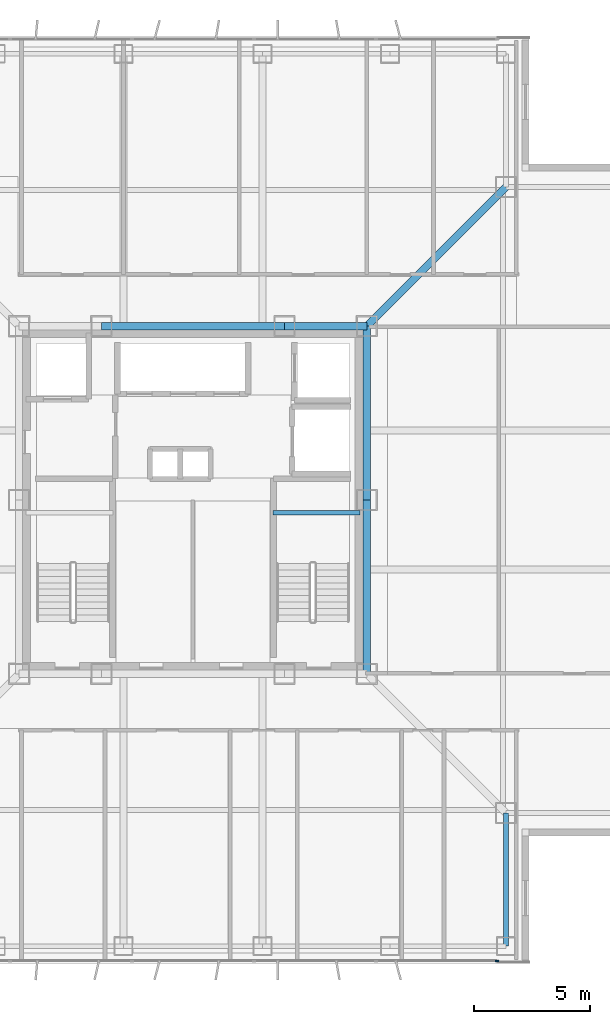
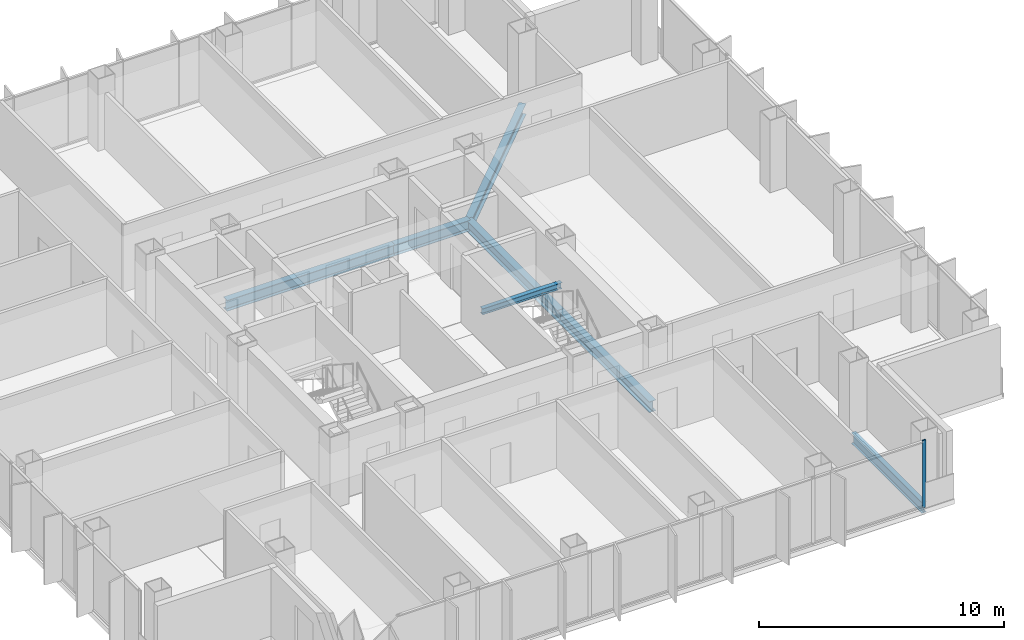
# One storey, part 5 of 18: 7 beams, 1 member, 1 element without a shape of its own.
"""IFC4 building model written with IfcOpenShell, lengths in metres."""

from ifc_helpers import new_model, si_unit, direction, frame, origin, origin_2d, place, context, subcontext, project, spatial, rectangle, i_section, extrude, material, layer, layer_set, material_profile, profile_set, type_object, element, aggregate, save


model = new_model("IFC4")

# Units and contexts
model_context = context("Model", 3, precision=1e-05, world=origin(), true_north=direction((0.0, 1.0)))
body_context = subcontext(model_context, "Body", "Model", "MODEL_VIEW")
ifc_project = project(units=[si_unit("LENGTHUNIT", "METRE"), si_unit("AREAUNIT", "SQUARE_METRE"), si_unit("VOLUMEUNIT", "CUBIC_METRE"), si_unit("PLANEANGLEUNIT", "RADIAN"), si_unit("MASSUNIT", "GRAM", prefix="KILO")], contexts=[model_context])

# Site, building, storey
site_placement = place(None, origin())
site = spatial("IfcSite", under=ifc_project, at=site_placement, CompositionType="ELEMENT")
building_placement = place(site_placement, origin())
building = spatial("IfcBuilding", under=site, at=building_placement, Name="Trevonay Congress Spire", CompositionType="ELEMENT")
storey_placement = place(building_placement, frame((0.0, 0.0, 173.39990234375)))
storey = spatial("IfcBuildingStorey", under=building, at=storey_placement, Name="L44", CompositionType="ELEMENT", Elevation=173.39990234375)

# Beams
ifc_material_1 = material(Name="Steel ASTM A572 Grade 50", Category="steel")
ifc_material_profile_1 = material_profile(ifc_material_1, i_section(OverallWidth=0.31201171875, OverallDepth=0.54296875, WebThickness=0.0126953125, FlangeThickness=0.020263671875, FilletRadius=0.014892578125, at=origin_2d()), Name="W530x150")
ifc_profile_set_1 = profile_set([ifc_material_profile_1], Name="Steel ASTM A572 Grade 50")
beam_type_1 = type_object("IfcBeamType", Name="BM-GIRD-W530X150", PredefinedType="BEAM", material=ifc_profile_set_1)
beam_1_placement = place(storey_placement, frame((-3.949951171875, 7.5, -0.511474609375), z_axis=(1.0, 0.0, 0.0), x_axis=(0.0, 1.0, 0.0)))
element("IfcBeam", 1, at=beam_1_placement, inside=storey, type_object=beam_type_1, Name="L44 structural beam BM-L44-CR-N2", PredefinedType="BEAM", context=body_context, shape_type="SweptSolid", body=[
    extrude(i_section(OverallWidth=0.31201171875, OverallDepth=0.54296875, WebThickness=0.0126953125, FlangeThickness=0.020263671875, FilletRadius=0.014892578125, at=origin_2d()), origin(), (0.0, 0.0, 1.0), 7.89990234375),
])
beam_2_placement = place(storey_placement, frame((3.949951171875, 7.5, -0.511474609375), z_axis=(1.0, 0.0, 0.0), x_axis=(0.0, 1.0, 0.0)))
element("IfcBeam", 2, at=beam_2_placement, inside=storey, type_object=beam_type_1, Name="L44 structural beam BM-L44-CR-N3", PredefinedType="BEAM", context=body_context, shape_type="SweptSolid", body=[
    extrude(i_section(OverallWidth=0.31201171875, OverallDepth=0.54296875, WebThickness=0.0126953125, FlangeThickness=0.020263671875, FilletRadius=0.014892578125, at=origin_2d()), origin(), (0.0, 0.0, 1.0), 3.550048828125),
])
for number, where, z_axis, x_axis, name in (
    (3, (7.5, -7.5, -0.511474609375), (0.0, 1.0, 0.0), (-1.0, 0.0, 0.0), "L44 structural beam BM-L44-CR-E1"),
    (4, (7.5, 0.0, -0.511474609375), (0.0, 1.0, 0.0), (-1.0, 0.0, 0.0), "L44 structural beam BM-L44-CR-E2"),
):
    element("IfcBeam", number, at=place(storey_placement, frame(where, z_axis=z_axis, x_axis=x_axis)), inside=storey, type_object=beam_type_1, Name=name, PredefinedType="BEAM", context=body_context, shape_type="SweptSolid", body=[
        extrude(i_section(OverallWidth=0.31201171875, OverallDepth=0.54296875, WebThickness=0.0126953125, FlangeThickness=0.020263671875, FilletRadius=0.014892578125, at=origin_2d()), origin(), (0.0, 0.0, 1.0), 7.5),
    ])
beam_3_placement = place(storey_placement, frame((7.5, 7.5, -0.511474609375), z_axis=(0.707106781187, 0.707106781187, 0.0), x_axis=(-0.707106781187, 0.707106781187, 0.0)))
element("IfcBeam", 5, at=beam_3_placement, inside=storey, type_object=beam_type_1, Name="L44 structural beam BM-L44-CDNE", PredefinedType="BEAM", context=body_context, shape_type="SweptSolid", body=[
    extrude(i_section(OverallWidth=0.31201171875, OverallDepth=0.54296875, WebThickness=0.0126953125, FlangeThickness=0.020263671875, FilletRadius=0.014892578125, at=origin_2d()), origin(), (0.0, 0.0, 1.0), 8.4853515625),
])
ifc_material_profile_2 = material_profile(ifc_material_1, i_section(OverallWidth=0.2119140625, OverallDepth=0.5439453125, WebThickness=0.01318359375, FlangeThickness=0.021240234375, FilletRadius=0.014892578125, at=origin_2d()), Name="W530x123")
ifc_profile_set_2 = profile_set([ifc_material_profile_2], Name="Steel ASTM A572 Grade 50")
beam_type_2 = type_object("IfcBeamType", Name="BM-RING-W530X123", PredefinedType="BEAM", material=ifc_profile_set_2)
beam_4_placement = place(storey_placement, frame((13.5, -19.25, -0.511962890625), z_axis=(0.0, 1.0, 0.0), x_axis=(-1.0, 0.0, 0.0)))
element("IfcBeam", 6, at=beam_4_placement, inside=storey, type_object=beam_type_2, Name="L44 structural beam BM-L44-N1SE", PredefinedType="BEAM", context=body_context, shape_type="SweptSolid", body=[
    extrude(i_section(OverallWidth=0.2119140625, OverallDepth=0.5439453125, WebThickness=0.01318359375, FlangeThickness=0.021240234375, FilletRadius=0.014892578125, at=origin_2d()), origin(), (0.0, 0.0, 1.0), 5.75),
])

# Curtain wall, member
ifc_material_2 = material(Name="Pale Anodised Aluminium EN AW-6063-T6", Category="aluminium")
ifc_layer = layer(ifc_material_2, 0.169921875, Name="Pale Anodised Aluminium EN AW-6063-T6")
ifc_layer_set = layer_set([ifc_layer], Name="Pale Anodised Aluminium EN AW-6063-T6")
curtain_wall_type = type_object("IfcCurtainWallType", Name="CW-SYS04-CORP-PALE-METAL", PredefinedType="NOTDEFINED", material=ifc_layer_set)
curtain_wall_placement = place(storey_placement, origin())
curtain_wall = element("IfcCurtainWall", 7, at=curtain_wall_placement, inside=storey, type_object=curtain_wall_type, Name="L44 S unitised curtain wall", PredefinedType="NOTDEFINED")
ifc_material_profile_3 = material_profile(ifc_material_2, rectangle(XDim=0.06005859375, YDim=0.159912109375, at=origin_2d()), Name="CW-MULLION-160-ALUMINIUM")
ifc_profile_set_3 = profile_set([ifc_material_profile_3], Name="Pale Anodised Aluminium EN AW-6063-T6")
member_type = type_object("IfcMemberType", Name="CW-MULLION-160-ALUMINIUM", PredefinedType="MULLION", material=ifc_profile_set_3)
member_placement = place(storey_placement, frame((13.1201171875, -19.8798828125, 0.0), z_axis=(0.0, 0.0, 1.0), x_axis=(0.0, 1.0, 0.0)))
member = element("IfcMember", 8, at=member_placement, type_object=member_type, Name="CW04 mullion 6", PredefinedType="MULLION", context=body_context, shape_type="SweptSolid", body=[
    extrude(rectangle(XDim=0.06005859375, YDim=0.159912109375, at=origin_2d()), origin(), (0.0, 0.0, 1.0), 3.360107421875),
])
aggregate(curtain_wall, [member])

# Beam
ifc_material_profile_4 = material_profile(ifc_material_1, i_section(OverallWidth=0.2041015625, OverallDepth=0.305908203125, WebThickness=0.008544921875, FlangeThickness=0.0146484375, FilletRadius=0.010986328125, at=origin_2d()), Name="W310x67")
ifc_profile_set_4 = profile_set([ifc_material_profile_4], Name="Steel ASTM A572 Grade 50")
beam_type_3 = type_object("IfcBeamType", Name="LN-CORE-W310X67", PredefinedType="LINTEL", material=ifc_profile_set_4)
beam_5_placement = place(storey_placement, frame((3.449951171875, -0.550048828125, 1.447021484375), z_axis=(1.0, 0.0, 0.0), x_axis=(0.0, 1.0, 0.0)))
element("IfcBeam", 9, at=beam_5_placement, inside=storey, type_object=beam_type_3, Name="L44 structural beam BM-L44-HL-ST2", PredefinedType="LINTEL", context=body_context, shape_type="SweptSolid", body=[
    extrude(i_section(OverallWidth=0.2041015625, OverallDepth=0.305908203125, WebThickness=0.008544921875, FlangeThickness=0.0146484375, FilletRadius=0.010986328125, at=origin_2d()), origin(), (0.0, 0.0, 1.0), 3.75),
])

save(model, "model.ifc")
